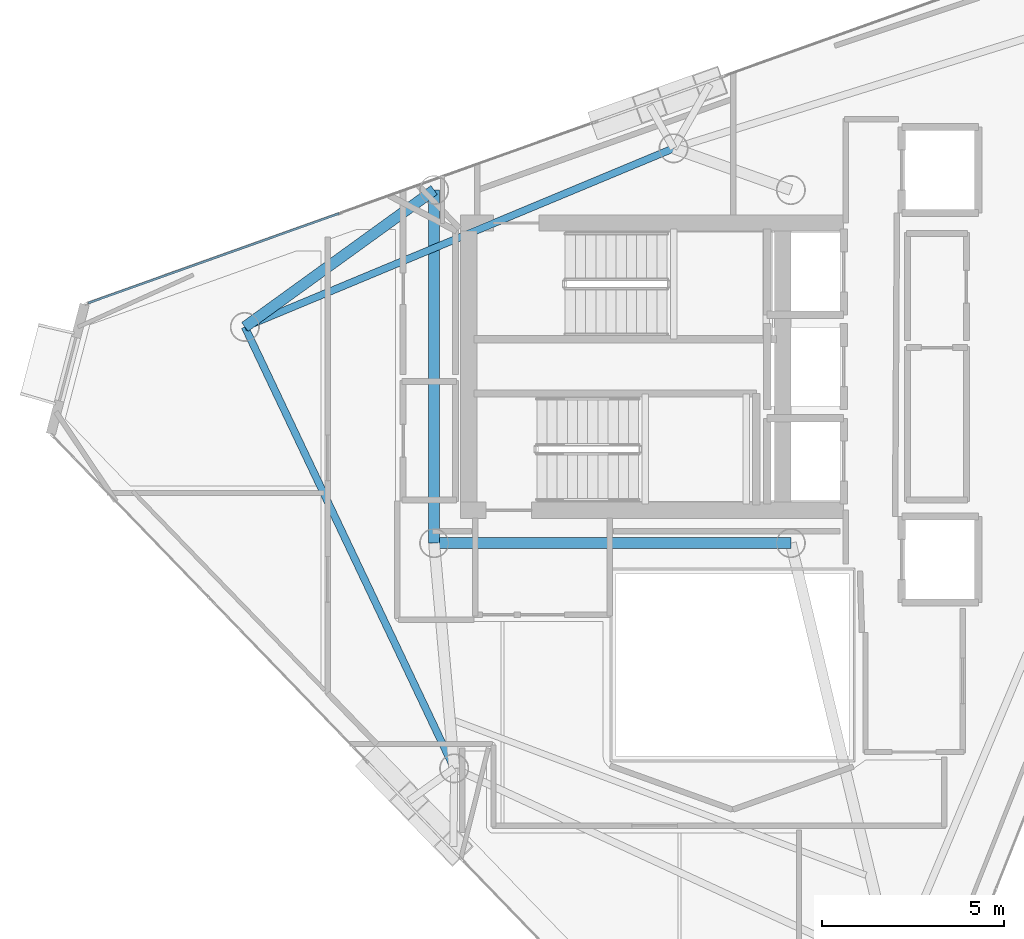
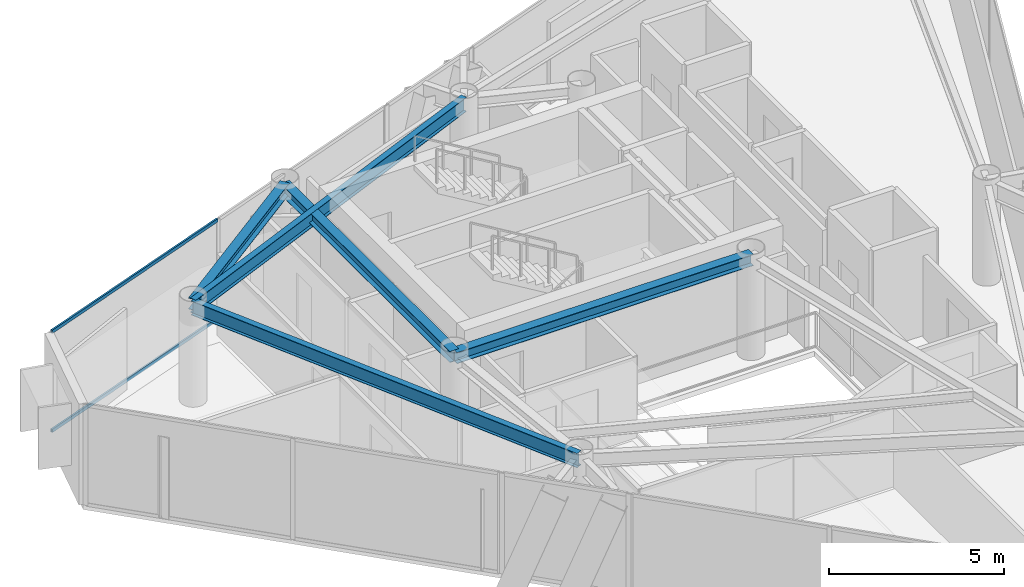
# One storey, part 8 of 18: 5 beams, 2 members, 1 element without a shape of its own.
"""IFC4 building model written with IfcOpenShell, lengths in metres."""

from ifc_helpers import new_model, si_unit, direction, frame, origin, origin_2d, place, context, subcontext, project, spatial, hollow_rectangle, i_section, extrude, material, layer, layer_set, material_profile, profile_set, type_object, element, aggregate, save


model = new_model("IFC4")

# Units and contexts
model_context = context("Model", 3, precision=1e-05, world=origin(), true_north=direction((0.0, 1.0)))
body_context = subcontext(model_context, "Body", "Model", "MODEL_VIEW")
ifc_project = project(units=[si_unit("LENGTHUNIT", "METRE"), si_unit("AREAUNIT", "SQUARE_METRE"), si_unit("VOLUMEUNIT", "CUBIC_METRE"), si_unit("PLANEANGLEUNIT", "RADIAN"), si_unit("MASSUNIT", "GRAM", prefix="KILO")], contexts=[model_context])

# Site, building, storey
site_placement = place(None, origin())
site = spatial("IfcSite", under=ifc_project, at=site_placement, CompositionType="ELEMENT")
building_placement = place(site_placement, origin())
building = spatial("IfcBuilding", under=site, at=building_placement, Name="Qianvela Tower", CompositionType="ELEMENT")
storey_placement = place(building_placement, frame((0.0, 0.0, 337.0)))
storey = spatial("IfcBuildingStorey", under=building, at=storey_placement, Name="L87", CompositionType="ELEMENT", Elevation=337.0)

# Beams
ifc_material_1 = material(Name="Steel Q355B", Category="steel")
ifc_material_profile_1 = material_profile(ifc_material_1, i_section(OverallWidth=0.300048828125, OverallDepth=0.389892578125, WebThickness=0.010009765625, FlangeThickness=0.01611328125, at=origin_2d()), Name="HM390x300x10x16")
ifc_profile_set_1 = profile_set([ifc_material_profile_1], Name="Steel Q355B")
beam_type_1 = type_object("IfcBeamType", Name="BM-HM390-COLL", PredefinedType="BEAM", material=ifc_profile_set_1)
beam_1_placement = place(storey_placement, frame((28.60009765625, 23.85009765625, 3.322998046875), z_axis=(1.0, 0.0, 0.0), x_axis=(0.0, 1.0, 0.0)))
element("IfcBeam", 1, at=beam_1_placement, inside=storey, type_object=beam_type_1, Name="L87 Core Ring Collector Girder CC1", PredefinedType="BEAM", context=body_context, shape_type="SweptSolid", body=[
    extrude(i_section(OverallWidth=0.300048828125, OverallDepth=0.389892578125, WebThickness=0.010009765625, FlangeThickness=0.01611328125, at=origin_2d()), origin(), (0.0, 0.0, 1.0), 9.7998046875),
])
beam_2_placement = place(storey_placement, frame((28.60009765625, 33.550048828125, 3.322998046875), z_axis=(0.0, -1.0, 0.0), x_axis=(1.0, 0.0, 0.0)))
element("IfcBeam", 2, at=beam_2_placement, inside=storey, type_object=beam_type_1, Name="L87 Core Ring Collector Girder CC2", PredefinedType="BEAM", context=body_context, shape_type="SweptSolid", body=[
    extrude(i_section(OverallWidth=0.300048828125, OverallDepth=0.389892578125, WebThickness=0.010009765625, FlangeThickness=0.01611328125, at=origin_2d()), origin(), (0.0, 0.0, 1.0), 9.699951171875),
])
beam_3_placement = place(storey_placement, frame((28.60009765625, 33.550048828125, 3.322998046875), z_axis=(-0.810287827692, -0.586032112, 0.0), x_axis=(0.586032112, -0.810287827692, 0.0)))
element("IfcBeam", 3, at=beam_3_placement, inside=storey, type_object=beam_type_1, Name="L87 Radial Primary Floor Girder 3", PredefinedType="BEAM", context=body_context, shape_type="SweptSolid", body=[
    extrude(i_section(OverallWidth=0.300048828125, OverallDepth=0.389892578125, WebThickness=0.010009765625, FlangeThickness=0.01611328125, at=origin_2d()), origin(), (0.0, 0.0, 1.0), 6.417724609375),
])
ifc_material_2 = material(Name="Steel Q355B", Category="steel")
ifc_material_profile_2 = material_profile(ifc_material_2, i_section(OverallWidth=0.199951171875, OverallDepth=0.5, WebThickness=0.010009765625, FlangeThickness=0.01611328125, at=origin_2d()), Name="HN500x200x10x16")
ifc_profile_set_2 = profile_set([ifc_material_profile_2], Name="Steel Q355B")
beam_type_2 = type_object("IfcBeamType", Name="BM-HN500-GIRD", PredefinedType="BEAM", material=ifc_profile_set_2)
beam_4_placement = place(storey_placement, frame((35.177001953125, 34.695068359375, 3.26806640625), z_axis=(-0.923108058734, -0.384540650517, 0.0), x_axis=(0.384540650517, -0.923108058734, 0.0)))
element("IfcBeam", 4, at=beam_4_placement, inside=storey, type_object=beam_type_2, Name="L87 Perimeter Ring Spandrel Girder 2", PredefinedType="BEAM", context=body_context, shape_type="SweptSolid", body=[
    extrude(i_section(OverallWidth=0.199951171875, OverallDepth=0.5, WebThickness=0.010009765625, FlangeThickness=0.01611328125, at=origin_2d()), origin(), (0.0, 0.0, 1.0), 12.758056640625),
])
beam_5_placement = place(storey_placement, frame((23.39990234375, 29.7890625, 3.26806640625), z_axis=(0.428430375526, -0.903574796753, 0.0), x_axis=(0.903574796753, 0.428430375526, 0.0)))
element("IfcBeam", 5, at=beam_5_placement, inside=storey, type_object=beam_type_2, Name="L87 Perimeter Ring Spandrel Girder 3", PredefinedType="BEAM", context=body_context, shape_type="SweptSolid", body=[
    extrude(i_section(OverallWidth=0.199951171875, OverallDepth=0.5, WebThickness=0.010009765625, FlangeThickness=0.01611328125, at=origin_2d()), origin(), (0.0, 0.0, 1.0), 13.421142578125),
])

# Curtain wall, members
ifc_material_3 = material(Name="Anodised Architectural Aluminium and Low-E Glass", Category="aluminium")
ifc_layer = layer(ifc_material_3, 0.14990234375)
ifc_layer_set = layer_set([ifc_layer], Name="Anodised Architectural Aluminium and Low-E Glass")
curtain_wall_type = type_object("IfcCurtainWallType", Name="CW-COLIV-Z78", PredefinedType="USERDEFINED", material=ifc_layer_set)
curtain_wall_placement = place(storey_placement, origin())
curtain_wall = element("IfcCurtainWall", 6, at=curtain_wall_placement, inside=storey, type_object=curtain_wall_type, Name="L87 CW-COLIV-Z78 Curtain Wall 02C", ObjectType="CURTAIN_WALL_SYSTEM", PredefinedType="USERDEFINED")
ifc_material_4 = material(Name="Anodised Architectural Aluminium 6063-T6", Category="aluminium")
ifc_material_profile_3 = material_profile(ifc_material_4, hollow_rectangle(XDim=0.06005859375, YDim=0.114990234375, WallThickness=0.00390625, at=origin_2d()), Name="ALU-TRAN-60x115")
ifc_profile_set_3 = profile_set([ifc_material_profile_3], Name="Anodised Architectural Aluminium 6063-T6")
member_type = type_object("IfcMemberType", Name="CW-COLIV-Z78-TRAN", PredefinedType="USERDEFINED", material=ifc_profile_set_3)
member_1_placement = place(storey_placement, frame((25.99072265625, 32.905517578125, 0.030029296875), z_axis=(-0.941769089659, -0.33626028871, 0.0), x_axis=(0.33626028871, -0.941769089659, 0.0)))
member_1 = element("IfcMember", 7, at=member_1_placement, type_object=member_type, Name="CW-6 transom 2.1", ObjectType="TRANSOM", PredefinedType="USERDEFINED", context=body_context, shape_type="SweptSolid", body=[
    extrude(hollow_rectangle(XDim=0.06005859375, YDim=0.114990234375, WallThickness=0.00390625, at=origin_2d()), origin(), (0.0, 0.0, 1.0), 7.315673828125),
])
member_2_placement = place(storey_placement, frame((25.99072265625, 32.905517578125, 3.489990234375), z_axis=(-0.941769089659, -0.33626028871, 0.0), x_axis=(0.33626028871, -0.941769089659, 0.0)))
member_2 = element("IfcMember", 8, at=member_2_placement, type_object=member_type, Name="CW-6 transom 2.2", ObjectType="TRANSOM", PredefinedType="USERDEFINED", context=body_context, shape_type="SweptSolid", body=[
    extrude(hollow_rectangle(XDim=0.06005859375, YDim=0.114990234375, WallThickness=0.00390625, at=origin_2d()), origin(), (0.0, 0.0, 1.0), 7.315673828125),
])
aggregate(curtain_wall, [member_1, member_2])

save(model, "model.ifc")
